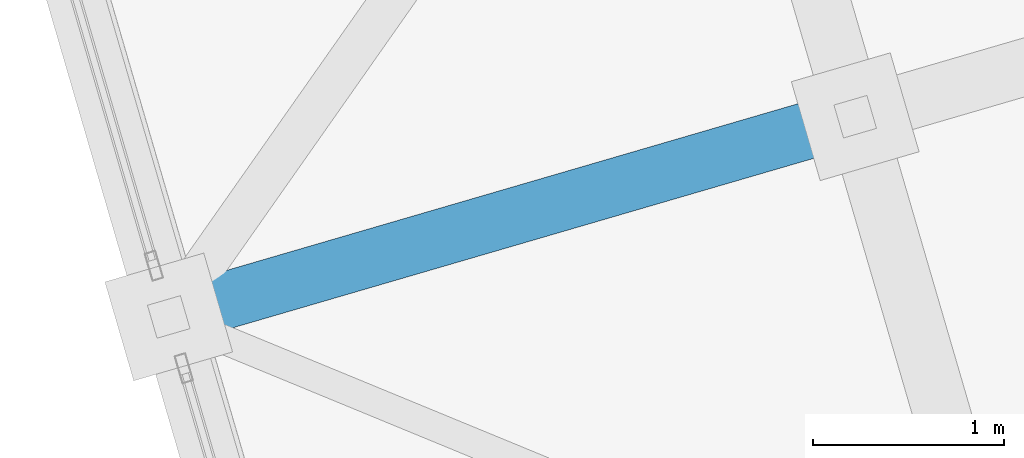
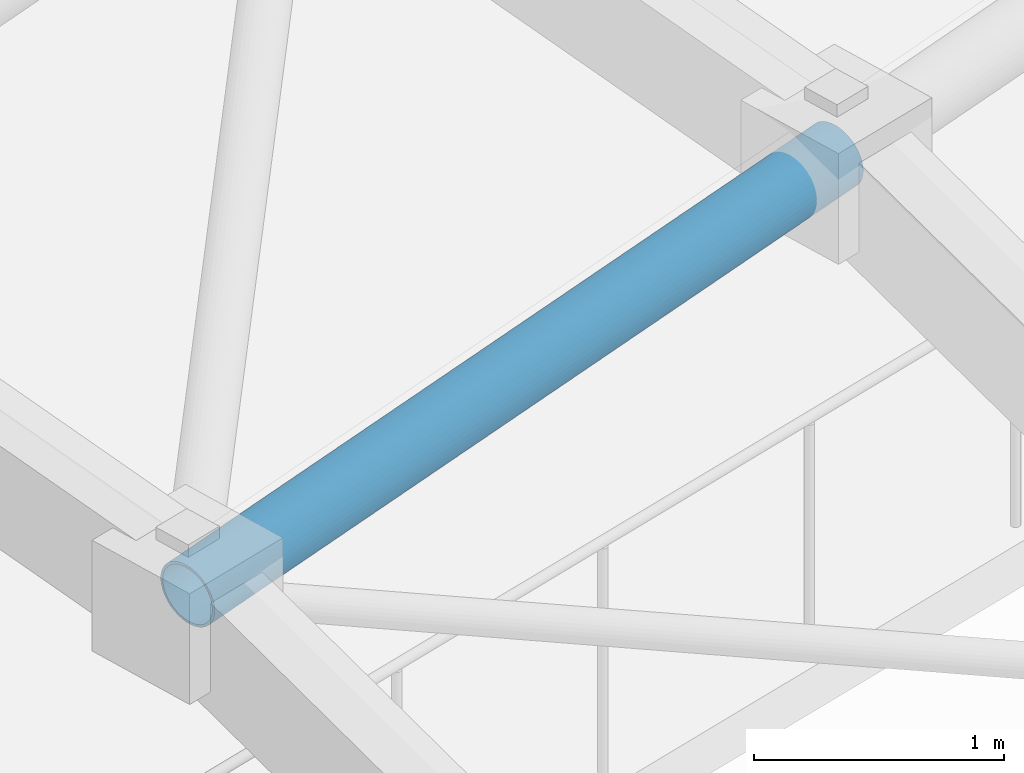
# One storey, part 36 of 248: 1 member.
"""IFC4 building model written with IfcOpenShell, lengths in metres."""

from ifc_helpers import new_model, si_unit, direction, frame, origin, origin_2d, place, context, subcontext, project, spatial, hollow_circle, extrude, material, material_profile, profile_set, type_object, element, save


model = new_model("IFC4")

# Units and contexts
model_context = context("Model", 3, precision=1e-05, world=origin(), true_north=direction((0.0, 1.0)))
body_context = subcontext(model_context, "Body", "Model", "MODEL_VIEW")
ifc_project = project(units=[si_unit("LENGTHUNIT", "METRE"), si_unit("AREAUNIT", "SQUARE_METRE"), si_unit("VOLUMEUNIT", "CUBIC_METRE"), si_unit("PLANEANGLEUNIT", "RADIAN"), si_unit("MASSUNIT", "GRAM", prefix="KILO")], contexts=[model_context])

# Site, building, storey
site_placement = place(None, origin())
site = spatial("IfcSite", under=ifc_project, at=site_placement, CompositionType="ELEMENT")
building_placement = place(site_placement, origin())
building = spatial("IfcBuilding", under=site, at=building_placement, Name="Canggui Botanical Conservatory", CompositionType="ELEMENT")
storey_placement = place(building_placement, frame((0.0, 0.0, 5.39990234375)))
storey = spatial("IfcBuildingStorey", under=building, at=storey_placement, Name="L02", CompositionType="ELEMENT", Elevation=5.39990234375)

# Member
ifc_material = material(Name="Steel Q355C", Category="steel")
ifc_material_profile = material_profile(ifc_material, hollow_circle(Radius=0.1494140625, WallThickness=0.011962890625, at=origin_2d()), Name="CHS 299x12")
ifc_profile_set = profile_set([ifc_material_profile], Name="Steel Q355C")
member_type = type_object("IfcMemberType", Name="MEM-GSC02", PredefinedType="CHORD", material=ifc_profile_set)
member_placement = place(storey_placement, frame((16.639892578125, 53.52001953125, 12.816162109375), z_axis=(0.957872417874, 0.27938486839, 0.066517113516), x_axis=(-0.280004999853, 0.959998541695, 0.0)))
element("IfcMember", 1, at=member_placement, inside=storey, type_object=member_type, Name="Conservatory Gridshell Longitudinal Chord 1-4", PredefinedType="CHORD", context=body_context, shape_type="SweptSolid", body=[
    extrude(hollow_circle(Radius=0.1494140625, WallThickness=0.011962890625, at=origin_2d()), origin(), (0.0, 0.0, 1.0), 3.758544921875),
])

save(model, "model.ifc")
